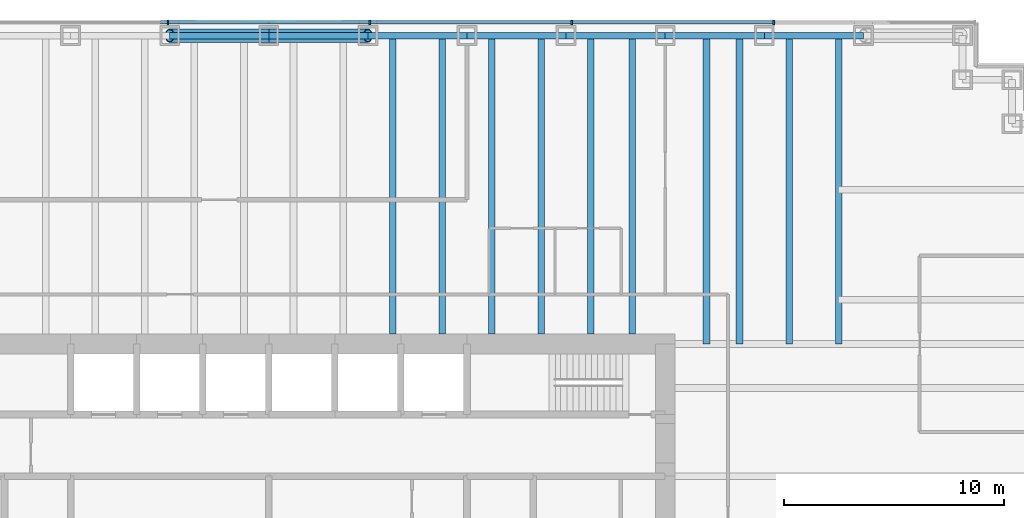
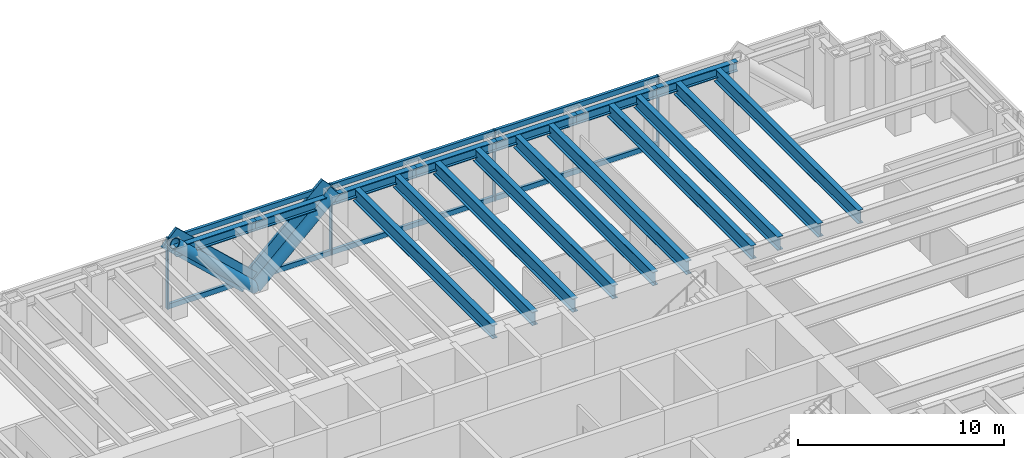
# One storey, part 7 of 15: 17 beams, 14 members, 1 element without a shape of its own.
"""IFC4 building model written with IfcOpenShell, lengths in metres."""

from ifc_helpers import new_model, si_unit, direction, frame, origin, origin_2d, place, context, subcontext, project, spatial, rectangle, hollow_circle, i_section, extrude, material, material_profile, profile_set, type_object, element, aggregate, save


model = new_model("IFC4")

# Units and contexts
model_context = context("Model", 3, precision=1e-05, world=origin(), true_north=direction((0.0, 1.0)))
body_context = subcontext(model_context, "Body", "Model", "MODEL_VIEW")
ifc_project = project(units=[si_unit("LENGTHUNIT", "METRE"), si_unit("AREAUNIT", "SQUARE_METRE"), si_unit("VOLUMEUNIT", "CUBIC_METRE"), si_unit("PLANEANGLEUNIT", "RADIAN"), si_unit("MASSUNIT", "GRAM", prefix="KILO")], contexts=[model_context])

# Site, building, storey
site_placement = place(None, origin())
site = spatial("IfcSite", under=ifc_project, at=site_placement, CompositionType="ELEMENT")
building_placement = place(site_placement, origin())
building = spatial("IfcBuilding", under=site, at=building_placement, Name="Rheinbord Bourse Tower", CompositionType="ELEMENT")
storey_placement = place(building_placement, frame((0.0, 0.0, 125.699951171875)))
storey = spatial("IfcBuildingStorey", under=building, at=storey_placement, Name="L27", CompositionType="ELEMENT", Elevation=125.699951171875)

# Curtain wall, members
ifc_material_1 = material(Name="Dark glass and black aluminium", Category="aluminium")
curtain_wall_type = type_object("IfcCurtainWallType", Name="CW2 DARK GLASS CURTAIN WALL", PredefinedType="USERDEFINED", material=ifc_material_1)
curtain_wall_placement = place(storey_placement, origin())
curtain_wall = element("IfcCurtainWall", 1, at=curtain_wall_placement, inside=storey, type_object=curtain_wall_type, Name="Curtain wall CW2 N L27", ObjectType="UNITISED CURTAIN WALL", PredefinedType="USERDEFINED")
ifc_material_2 = material(Name="Black anodised aluminium", Category="aluminium")
ifc_material_profile_1 = material_profile(ifc_material_2, rectangle(XDim=0.159912109375, YDim=1.2099609375, at=origin_2d()), Name="CW2 DIAGONAL MULLION 1210x160")
ifc_profile_set_1 = profile_set([ifc_material_profile_1], Name="Black anodised aluminium")
member_type_1 = type_object("IfcMemberType", Name="CW2 BLACK DIAGONAL MULLION", PredefinedType="USERDEFINED", material=ifc_profile_set_1)
member_1_placement = place(storey_placement, frame((36.0, 46.60009765625, 0.0), z_axis=(0.73105922506, 0.0, 0.682314010889), x_axis=(0.0, 1.0, 0.0)))
member_1 = element("IfcMember", 2, at=member_1_placement, type_object=member_type_1, Name="CW2 diagonal mullion c", ObjectType="DIAGONAL MULLION", PredefinedType="USERDEFINED", context=body_context, shape_type="SweptSolid", body=[
    extrude(rectangle(XDim=0.159912109375, YDim=1.2099609375, at=origin_2d()), origin(), (0.0, 0.0, 1.0), 6.155517578125),
])
member_2_placement = place(storey_placement, frame((36.0, 46.60009765625, 0.0), z_axis=(-0.73105922506, 0.0, 0.682314010889), x_axis=(0.0, -1.0, 0.0)))
member_2 = element("IfcMember", 3, at=member_2_placement, type_object=member_type_1, Name="CW2 diagonal mullion d", ObjectType="DIAGONAL MULLION", PredefinedType="USERDEFINED", context=body_context, shape_type="SweptSolid", body=[
    extrude(rectangle(XDim=0.159912109375, YDim=1.2099609375, at=origin_2d()), origin(), (0.0, 0.0, 1.0), 6.155517578125),
])
ifc_material_3 = material(Name="Black anodised aluminium", Category="aluminium")
ifc_material_profile_2 = material_profile(ifc_material_3, rectangle(XDim=0.219970703125, YDim=0.070068359375, at=origin_2d()), Name="CW2 MULLION 70x220")
ifc_profile_set_2 = profile_set([ifc_material_profile_2], Name="Black anodised aluminium")
member_type_2 = type_object("IfcMemberType", Name="CW2 BLACK MULLION", PredefinedType="MULLION", material=ifc_profile_set_2)
member_3_placement = place(storey_placement, frame((58.928466796875, 46.60009765625, 0.0), z_axis=(0.0, 0.0, 1.0), x_axis=(0.0, -1.0, 0.0)))
member_3 = element("IfcMember", 4, at=member_3_placement, type_object=member_type_2, Name="CW2 mullion 2", PredefinedType="MULLION", context=body_context, shape_type="SweptSolid", body=[
    extrude(rectangle(XDim=0.219970703125, YDim=0.070068359375, at=origin_2d()), origin(), (0.0, 0.0, 1.0), 4.199951171875),
])
member_4_placement = place(storey_placement, frame((49.757080078125, 46.60009765625, 0.0), z_axis=(0.0, 0.0, 1.0), x_axis=(0.0, -1.0, 0.0)))
member_4 = element("IfcMember", 5, at=member_4_placement, type_object=member_type_2, Name="CW2 mullion 3", PredefinedType="MULLION", context=body_context, shape_type="SweptSolid", body=[
    extrude(rectangle(XDim=0.219970703125, YDim=0.070068359375, at=origin_2d()), origin(), (0.0, 0.0, 1.0), 4.199951171875),
])
member_5_placement = place(storey_placement, frame((40.585693359375, 46.60009765625, 0.0), z_axis=(0.0, 0.0, 1.0), x_axis=(0.0, -1.0, 0.0)))
member_5 = element("IfcMember", 6, at=member_5_placement, type_object=member_type_2, Name="CW2 mullion 4", PredefinedType="MULLION", context=body_context, shape_type="SweptSolid", body=[
    extrude(rectangle(XDim=0.219970703125, YDim=0.070068359375, at=origin_2d()), origin(), (0.0, 0.0, 1.0), 4.199951171875),
])
member_6_placement = place(storey_placement, frame((31.414306640625, 46.60009765625, 0.0), z_axis=(0.0, 0.0, 1.0), x_axis=(0.0, -1.0, 0.0)))
member_6 = element("IfcMember", 7, at=member_6_placement, type_object=member_type_2, Name="CW2 mullion 5", PredefinedType="MULLION", context=body_context, shape_type="SweptSolid", body=[
    extrude(rectangle(XDim=0.219970703125, YDim=0.070068359375, at=origin_2d()), origin(), (0.0, 0.0, 1.0), 4.199951171875),
])
ifc_material_4 = material(Name="Black anodised aluminium", Category="aluminium")
ifc_material_profile_3 = material_profile(ifc_material_4, rectangle(XDim=0.159912109375, YDim=0.300048828125, at=origin_2d()), Name="CW2 TRANSOM 300x160")
ifc_profile_set_3 = profile_set([ifc_material_profile_3], Name="Black anodised aluminium")
member_type_3 = type_object("IfcMemberType", Name="CW2 BLACK TRANSOM", PredefinedType="USERDEFINED", material=ifc_profile_set_3)
member_7_placement = place(storey_placement, frame((58.8935546875, 46.60009765625, 0.150146484375), z_axis=(-1.0, 0.0, 0.0), x_axis=(0.0, -1.0, 0.0)))
member_7 = element("IfcMember", 8, at=member_7_placement, type_object=member_type_3, Name="CW2 transom 2.1", ObjectType="TRANSOM", PredefinedType="USERDEFINED", context=body_context, shape_type="SweptSolid", body=[
    extrude(rectangle(XDim=0.159912109375, YDim=0.300048828125, at=origin_2d()), origin(), (0.0, 0.0, 1.0), 9.101318359375),
])
member_8_placement = place(storey_placement, frame((58.8935546875, 46.60009765625, 4.050048828125), z_axis=(-1.0, 0.0, 0.0), x_axis=(0.0, -1.0, 0.0)))
member_8 = element("IfcMember", 9, at=member_8_placement, type_object=member_type_3, Name="CW2 transom 2.2", ObjectType="TRANSOM", PredefinedType="USERDEFINED", context=body_context, shape_type="SweptSolid", body=[
    extrude(rectangle(XDim=0.159912109375, YDim=0.300048828125, at=origin_2d()), origin(), (0.0, 0.0, 1.0), 9.101318359375),
])
member_9_placement = place(storey_placement, frame((49.72216796875, 46.60009765625, 0.150146484375), z_axis=(-1.0, 0.0, 0.0), x_axis=(0.0, -1.0, 0.0)))
member_9 = element("IfcMember", 10, at=member_9_placement, type_object=member_type_3, Name="CW2 transom 3.1", ObjectType="TRANSOM", PredefinedType="USERDEFINED", context=body_context, shape_type="SweptSolid", body=[
    extrude(rectangle(XDim=0.159912109375, YDim=0.300048828125, at=origin_2d()), origin(), (0.0, 0.0, 1.0), 9.1015625),
])
member_10_placement = place(storey_placement, frame((49.72216796875, 46.60009765625, 4.050048828125), z_axis=(-1.0, 0.0, 0.0), x_axis=(0.0, -1.0, 0.0)))
member_10 = element("IfcMember", 11, at=member_10_placement, type_object=member_type_3, Name="CW2 transom 3.2", ObjectType="TRANSOM", PredefinedType="USERDEFINED", context=body_context, shape_type="SweptSolid", body=[
    extrude(rectangle(XDim=0.159912109375, YDim=0.300048828125, at=origin_2d()), origin(), (0.0, 0.0, 1.0), 9.1015625),
])
member_11_placement = place(storey_placement, frame((40.55078125, 46.60009765625, 0.150146484375), z_axis=(-1.0, 0.0, 0.0), x_axis=(0.0, -1.0, 0.0)))
member_11 = element("IfcMember", 12, at=member_11_placement, type_object=member_type_3, Name="CW2 transom 4.1", ObjectType="TRANSOM", PredefinedType="USERDEFINED", context=body_context, shape_type="SweptSolid", body=[
    extrude(rectangle(XDim=0.159912109375, YDim=0.300048828125, at=origin_2d()), origin(), (0.0, 0.0, 1.0), 9.1015625),
])
member_12_placement = place(storey_placement, frame((40.55078125, 46.60009765625, 4.050048828125), z_axis=(-1.0, 0.0, 0.0), x_axis=(0.0, -1.0, 0.0)))
member_12 = element("IfcMember", 13, at=member_12_placement, type_object=member_type_3, Name="CW2 transom 4.2", ObjectType="TRANSOM", PredefinedType="USERDEFINED", context=body_context, shape_type="SweptSolid", body=[
    extrude(rectangle(XDim=0.159912109375, YDim=0.300048828125, at=origin_2d()), origin(), (0.0, 0.0, 1.0), 9.1015625),
])
aggregate(curtain_wall, [member_3, member_4, member_5, member_6, member_7, member_8, member_9, member_10, member_11, member_12, member_1, member_2])

# Beams
ifc_material_5 = material(Name="Steel S460", Category="steel")
ifc_material_profile_4 = material_profile(ifc_material_5, i_section(OverallWidth=0.300048828125, OverallDepth=0.800048828125, WebThickness=0.017578125, FlangeThickness=0.032958984375, at=origin_2d()), Name="HEB 800")
ifc_profile_set_4 = profile_set([ifc_material_profile_4], Name="Steel S460")
beam_type_1 = type_object("IfcBeamType", Name="FLOOR BEAM HEB 800", PredefinedType="BEAM", material=ifc_profile_set_4)
for number, where, z_axis, x_axis, name in (
    (14, (41.625, 46.0, 3.64013671875), (0.0, -1.0, 0.0), (1.0, 0.0, 0.0), "Floor beam N-40.5a L28"),
    (15, (43.875, 46.0, 3.64013671875), (0.0, -1.0, 0.0), (1.0, 0.0, 0.0), "Floor beam N-40.5b L28"),
    (16, (46.125, 46.0, 3.64013671875), (0.0, -1.0, 0.0), (1.0, 0.0, 0.0), "Floor beam N-45a L28"),
    (17, (48.375, 46.0, 3.64013671875), (0.0, -1.0, 0.0), (1.0, 0.0, 0.0), "Floor beam N-45b L28"),
    (18, (50.625, 46.0, 3.64013671875), (0.0, -1.0, 0.0), (1.0, 0.0, 0.0), "Floor beam N-49.5a L28"),
    (19, (52.5, 46.0, 3.64013671875), (0.0, -1.0, 0.0), (1.0, 0.0, 0.0), "Floor beam N-49.5b L28"),
):
    element("IfcBeam", number, at=place(storey_placement, frame(where, z_axis=z_axis, x_axis=x_axis)), inside=storey, type_object=beam_type_1, Name=name, PredefinedType="BEAM", context=body_context, shape_type="SweptSolid", body=[
        extrude(i_section(OverallWidth=0.300048828125, OverallDepth=0.800048828125, WebThickness=0.017578125, FlangeThickness=0.032958984375, at=origin_2d()), origin(), (0.0, 0.0, 1.0), 13.550048828125),
    ])
for number, where, z_axis, x_axis, name in (
    (20, (55.875, 46.0, 3.64013671875), (0.0, -1.0, 0.0), (1.0, 0.0, 0.0), "Floor beam N-54a L28"),
    (21, (57.375, 46.0, 3.64013671875), (0.0, -1.0, 0.0), (1.0, 0.0, 0.0), "Floor beam N-54b L28"),
    (22, (59.625, 46.0, 3.64013671875), (0.0, -1.0, 0.0), (1.0, 0.0, 0.0), "Floor beam N-58.5a L28"),
    (23, (61.875, 46.0, 3.64013671875), (0.0, -1.0, 0.0), (1.0, 0.0, 0.0), "Floor beam N-58.5b L28"),
):
    element("IfcBeam", number, at=place(storey_placement, frame(where, z_axis=z_axis, x_axis=x_axis)), inside=storey, type_object=beam_type_1, Name=name, PredefinedType="BEAM", context=body_context, shape_type="SweptSolid", body=[
        extrude(i_section(OverallWidth=0.300048828125, OverallDepth=0.800048828125, WebThickness=0.017578125, FlangeThickness=0.032958984375, at=origin_2d()), origin(), (0.0, 0.0, 1.0), 14.0),
    ])

# Members
ifc_material_6 = material(Name="Steel S460", Category="steel")
ifc_material_profile_5 = material_profile(ifc_material_6, hollow_circle(Radius=0.304931640625, WallThickness=0.0400390625, at=origin_2d()), Name="CHS 610x40")
ifc_profile_set_5 = profile_set([ifc_material_profile_5], Name="Steel S460")
member_type_4 = type_object("IfcMemberType", Name="MEGABRACE CHS 610x40", PredefinedType="BRACE", material=ifc_profile_set_5)
for number, where, z_axis, x_axis, name in (
    (24, (36.0, 46.0, 0.0), (0.73105922506, 0.0, 0.682314010889), (0.0, 1.0, 0.0), "Megabrace N face line c L27"),
    (25, (36.0, 46.0, 0.0), (-0.73105922506, 0.0, 0.682314010889), (0.0, -1.0, 0.0), "Megabrace N face line d L27"),
):
    element("IfcMember", number, at=place(storey_placement, frame(where, z_axis=z_axis, x_axis=x_axis)), inside=storey, type_object=member_type_4, Name=name, PredefinedType="BRACE", context=body_context, shape_type="SweptSolid", body=[
        extrude(hollow_circle(Radius=0.304931640625, WallThickness=0.0400390625, at=origin_2d()), origin(), (0.0, 0.0, 1.0), 6.155517578125),
    ])

# Beams
ifc_material_7 = material(Name="Steel S460", Category="steel")
ifc_material_profile_6 = material_profile(ifc_material_7, i_section(OverallWidth=0.305908203125, OverallDepth=0.572021484375, WebThickness=0.02099609375, FlangeThickness=0.0400390625, at=origin_2d()), Name="HEM 550")
ifc_profile_set_6 = profile_set([ifc_material_profile_6], Name="Steel S460")
beam_type_2 = type_object("IfcBeamType", Name="SPANDREL HEM 550", PredefinedType="SPANDREL", material=ifc_profile_set_6)
for number, where, z_axis, x_axis, name in (
    (26, (63.0, 46.0, 3.754150390625), (-1.0, 0.0, 0.0), (0.0, -1.0, 0.0), "Spandrel N-63-N-58.5 under L28"),
    (27, (58.5, 46.0, 3.754150390625), (-1.0, 0.0, 0.0), (0.0, -1.0, 0.0), "Spandrel N-58.5-N-54 under L28"),
    (28, (54.0, 46.0, 3.754150390625), (-1.0, 0.0, 0.0), (0.0, -1.0, 0.0), "Spandrel N-54-N-49.5 under L28"),
    (29, (49.5, 46.0, 3.754150390625), (-1.0, 0.0, 0.0), (0.0, -1.0, 0.0), "Spandrel N-49.5-N-45 under L28"),
    (30, (45.0, 46.0, 3.754150390625), (-1.0, 0.0, 0.0), (0.0, -1.0, 0.0), "Spandrel N-45-N-40.5 under L28"),
    (31, (40.5, 46.0, 3.754150390625), (-1.0, 0.0, 0.0), (0.0, -1.0, 0.0), "Spandrel N-40.5-N-36 under L28"),
    (32, (36.0, 46.0, 3.754150390625), (-1.0, 0.0, 0.0), (0.0, -1.0, 0.0), "Spandrel N-36-N-31.5 under L28"),
):
    element("IfcBeam", number, at=place(storey_placement, frame(where, z_axis=z_axis, x_axis=x_axis)), inside=storey, type_object=beam_type_2, Name=name, PredefinedType="SPANDREL", context=body_context, shape_type="SweptSolid", body=[
        extrude(i_section(OverallWidth=0.305908203125, OverallDepth=0.572021484375, WebThickness=0.02099609375, FlangeThickness=0.0400390625, at=origin_2d()), origin(), (0.0, 0.0, 1.0), 4.5),
    ])

save(model, "model.ifc")
